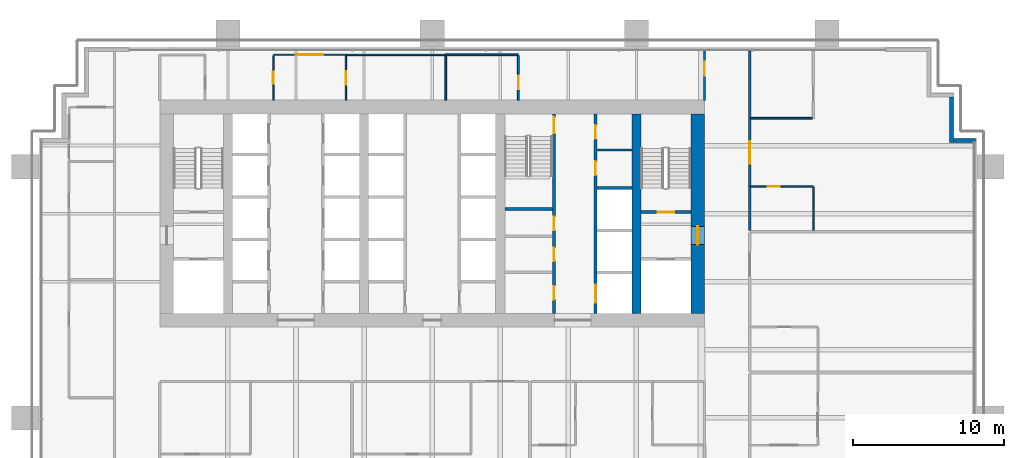
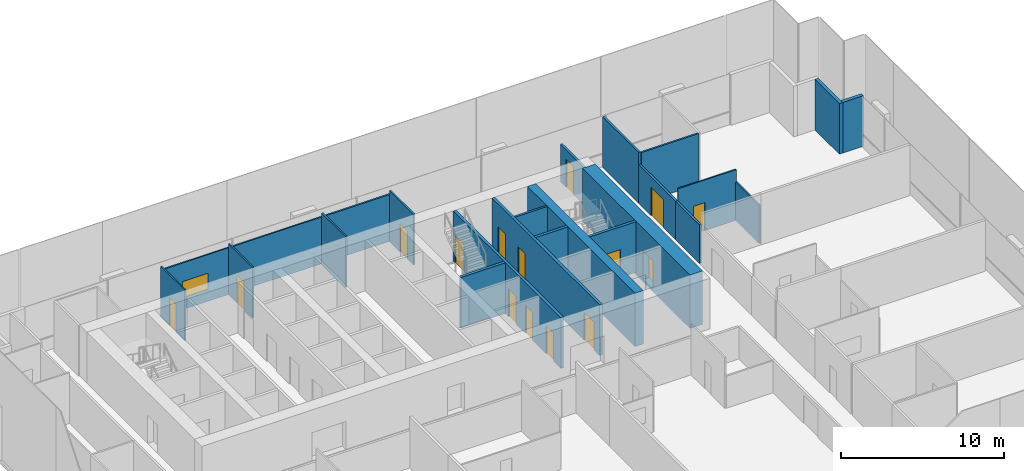
# One storey, part 15 of 19: 24 walls, 15 doors, 1 window, 16 openings.
"""IFC4 building model written with IfcOpenShell, lengths in metres."""

from ifc_helpers import new_model, si_unit, direction, frame, frame_2d, origin, place, context, subcontext, project, spatial, rectangle, extrude, material, layer, layer_set, type_object, element, fill, save


model = new_model("IFC4")

# Units and contexts
model_context = context("Model", 3, precision=1e-05, world=origin(), true_north=direction((0.0, 1.0)))
body_context = subcontext(model_context, "Body", "Model", "MODEL_VIEW")
ifc_project = project(units=[si_unit("LENGTHUNIT", "METRE"), si_unit("AREAUNIT", "SQUARE_METRE"), si_unit("VOLUMEUNIT", "CUBIC_METRE"), si_unit("PLANEANGLEUNIT", "RADIAN"), si_unit("MASSUNIT", "GRAM", prefix="KILO")], contexts=[model_context])

# Site, building, storey
site_placement = place(None, origin())
site = spatial("IfcSite", under=ifc_project, at=site_placement, CompositionType="ELEMENT")
building_placement = place(site_placement, origin())
building = spatial("IfcBuilding", under=site, at=building_placement, Name="Rattan Terrace Tower", CompositionType="ELEMENT")
storey_placement = place(building_placement, frame((0.0, 0.0, 103.699951171875)))
storey = spatial("IfcBuildingStorey", under=building, at=storey_placement, Name="L23", CompositionType="ELEMENT", Elevation=103.699951171875)

# Wall
ifc_material_1 = material(Name="Gypsum board partition")
ifc_layer_1 = layer(ifc_material_1, 0.14990234375)
ifc_layer_set_1 = layer_set([ifc_layer_1], Name="Core partition 150")
wall_type_1 = type_object("IfcWallType", Name="Core partition 150", PredefinedType="PARTITIONING", material=ifc_layer_set_1)
wall_1_placement = place(storey_placement, frame((10.89990234375, 4.199951171875, 0.0), z_axis=(0.0, 0.0, 1.0), x_axis=(1.0, 0.0, 0.0)))
element("IfcWall", 1, at=wall_1_placement, inside=storey, type_object=wall_type_1, Name="Riser room wall", PredefinedType="PARTITIONING", context=body_context, shape_type="SweptSolid", body=[
    extrude(rectangle(XDim=2.300048828125, YDim=0.14990234375, at=frame_2d((1.14990234375, 0.0))), origin(), (0.0, 0.0, 1.0), 3.800048828125),
])

# Wall, opening, door
ifc_material_2 = material(Name="Gypsum board partition")
ifc_layer_2 = layer(ifc_material_2, 0.199951171875)
ifc_layer_set_2 = layer_set([ifc_layer_2], Name="Core partition 200")
wall_type_2 = type_object("IfcWallType", Name="Core partition 200", PredefinedType="PARTITIONING", material=ifc_layer_set_2)
wall_2_placement = place(storey_placement, frame((13.800048828125, 0.10009765625, 0.0), z_axis=(0.0, 0.0, 1.0), x_axis=(1.0, 0.0, 0.0)))
wall_2 = element("IfcWall", 2, at=wall_2_placement, inside=storey, type_object=wall_type_2, Name="Stair enclosure wall", PredefinedType="PARTITIONING", context=body_context, shape_type="SweptSolid", body=[
    extrude(rectangle(XDim=3.300048828125, YDim=0.199951171875, at=frame_2d((1.64990234375, 0.0))), origin(), (0.0, 0.0, 1.0), 3.800048828125),
])
opening_1_placement = place(wall_2_placement, frame((1.10009765625, 0.0, 0.0)))
opening_1 = element("IfcOpeningElement", 3, at=opening_1_placement, cuts=wall_2, Name="Opening L23-D004", PredefinedType="OPENING", context=body_context, shape_type="SweptSolid", body=[
    extrude(rectangle(XDim=1.10009765625, YDim=2.10009765625, at=frame_2d((0.550048828125, 1.050048828125))), frame((0.0, 0.110595703125, 0.0), z_axis=(0.0, -1.0, 0.0), x_axis=(1.0, 0.0, 0.0)), (0.0, 0.0, 1.0), 0.220947265625),
])
ifc_material_3 = material(Name="Hollow-metal fire door leaf")
door_type_1 = type_object("IfcDoorType", Name="Core stair door 1100", OperationType="NOTDEFINED", PredefinedType="DOOR", material=ifc_material_3)
door_1_placement = place(opening_1_placement, origin())
door_1 = element("IfcDoor", 4, at=door_1_placement, inside=storey, type_object=door_type_1, Name="Door L23-D004", OperationType="SINGLE_SWING_RIGHT", OverallHeight=2.10009765625, OverallWidth=1.10009765625, PredefinedType="DOOR", context=body_context, shape_type="SweptSolid", body=[
    extrude(rectangle(XDim=1.10009765625, YDim=2.10009765625, at=frame_2d((0.550048828125, 1.050048828125))), frame((0.0, 0.02490234375, 0.0), z_axis=(0.0, -1.0, 0.0), x_axis=(1.0, 0.0, 0.0)), (0.0, 0.0, 1.0), 0.050048828125),
])
fill(opening_1, door_1)

# Wall, openings, doors
wall_3_placement = place(storey_placement, frame((8.050048828125, -6.60009765625, 0.0), z_axis=(0.0, 0.0, 1.0), x_axis=(0.0, 1.0, 0.0)))
wall_3 = element("IfcWall", 5, at=wall_3_placement, inside=storey, type_object=wall_type_2, Name="Lobby wall west", PredefinedType="PARTITIONING", context=body_context, shape_type="SweptSolid", body=[
    extrude(rectangle(XDim=13.2001953125, YDim=0.199951171875, at=frame_2d((6.60009765625, 0.0))), origin(), (0.0, 0.0, 1.0), 3.800048828125),
])
opening_2_placement = place(wall_3_placement, frame((0.909912109375, 0.0, 0.0)))
opening_2 = element("IfcOpeningElement", 6, at=opening_2_placement, cuts=wall_3, Name="Opening L23-D011", PredefinedType="OPENING", context=body_context, shape_type="SweptSolid", body=[
    extrude(rectangle(XDim=0.89990234375, YDim=2.10009765625, at=frame_2d((0.449951171875, 1.050048828125))), frame((0.0, 0.110595703125, 0.0), z_axis=(0.0, -1.0, 0.0), x_axis=(1.0, 0.0, 0.0)), (0.0, 0.0, 1.0), 0.220947265625),
])
opening_3_placement = place(wall_3_placement, frame((3.4599609375, 0.0, 0.0)))
opening_3 = element("IfcOpeningElement", 7, at=opening_3_placement, cuts=wall_3, Name="Opening L23-D012", PredefinedType="OPENING", context=body_context, shape_type="SweptSolid", body=[
    extrude(rectangle(XDim=0.89990234375, YDim=2.10009765625, at=frame_2d((0.449951171875, 1.050048828125))), frame((0.0, 0.110595703125, 0.0), z_axis=(0.0, -1.0, 0.0), x_axis=(1.0, 0.0, 0.0)), (0.0, 0.0, 1.0), 0.220947265625),
])
opening_4_placement = place(wall_3_placement, frame((5.5, 0.0, 0.0)))
opening_4 = element("IfcOpeningElement", 8, at=opening_4_placement, cuts=wall_3, Name="Opening L23-D013", PredefinedType="OPENING", context=body_context, shape_type="SweptSolid", body=[
    extrude(rectangle(XDim=0.89990234375, YDim=2.10009765625, at=frame_2d((0.449951171875, 1.050048828125))), frame((0.0, 0.110595703125, 0.0), z_axis=(0.0, -1.0, 0.0), x_axis=(1.0, 0.0, 0.0)), (0.0, 0.0, 1.0), 0.220947265625),
])
opening_5_placement = place(wall_3_placement, frame((11.89990234375, 0.0, 0.0)))
opening_5 = element("IfcOpeningElement", 9, at=opening_5_placement, cuts=wall_3, Name="Opening L23-D014", PredefinedType="OPENING", context=body_context, shape_type="SweptSolid", body=[
    extrude(rectangle(XDim=1.10009765625, YDim=2.10009765625, at=frame_2d((0.550048828125, 1.050048828125))), frame((0.0, 0.110595703125, 0.0), z_axis=(0.0, -1.0, 0.0), x_axis=(1.0, 0.0, 0.0)), (0.0, 0.0, 1.0), 0.220947265625),
])
ifc_material_4 = material(Name="Hollow-metal fire door leaf")
door_type_2 = type_object("IfcDoorType", Name="Core service room door 900", OperationType="NOTDEFINED", PredefinedType="DOOR", material=ifc_material_4)
door_2_placement = place(opening_4_placement, origin())
door_2 = element("IfcDoor", 10, at=door_2_placement, inside=storey, type_object=door_type_2, Name="Door L23-D013", OperationType="SINGLE_SWING_RIGHT", OverallHeight=2.10009765625, OverallWidth=0.89990234375, PredefinedType="DOOR", context=body_context, shape_type="SweptSolid", body=[
    extrude(rectangle(XDim=0.89990234375, YDim=2.10009765625, at=frame_2d((0.449951171875, 1.050048828125))), frame((0.0, 0.02490234375, 0.0), z_axis=(0.0, -1.0, 0.0), x_axis=(1.0, 0.0, 0.0)), (0.0, 0.0, 1.0), 0.050048828125),
])
fill(opening_4, door_2)
door_3_placement = place(opening_5_placement, origin())
door_3 = element("IfcDoor", 11, at=door_3_placement, inside=storey, type_object=door_type_1, Name="Door L23-D014", OperationType="SINGLE_SWING_LEFT", OverallHeight=2.10009765625, OverallWidth=1.10009765625, PredefinedType="DOOR", context=body_context, shape_type="SweptSolid", body=[
    extrude(rectangle(XDim=1.10009765625, YDim=2.10009765625, at=frame_2d((0.550048828125, 1.050048828125))), frame((0.0, 0.02490234375, 0.0), z_axis=(0.0, -1.0, 0.0), x_axis=(1.0, 0.0, 0.0)), (0.0, 0.0, 1.0), 0.050048828125),
])
fill(opening_5, door_3)
ifc_material_5 = material(Name="Hollow-metal fire door leaf")
door_type_3 = type_object("IfcDoorType", Name="Core toilet door 900", OperationType="NOTDEFINED", PredefinedType="DOOR", material=ifc_material_5)
door_4_placement = place(opening_2_placement, origin())
door_4 = element("IfcDoor", 12, at=door_4_placement, inside=storey, type_object=door_type_3, Name="Door L23-D011", OperationType="SINGLE_SWING_RIGHT", OverallHeight=2.10009765625, OverallWidth=0.89990234375, PredefinedType="DOOR", context=body_context, shape_type="SweptSolid", body=[
    extrude(rectangle(XDim=0.89990234375, YDim=2.10009765625, at=frame_2d((0.449951171875, 1.050048828125))), frame((0.0, 0.02490234375, 0.0), z_axis=(0.0, -1.0, 0.0), x_axis=(1.0, 0.0, 0.0)), (0.0, 0.0, 1.0), 0.050048828125),
])
fill(opening_2, door_4)
door_5_placement = place(opening_3_placement, origin())
door_5 = element("IfcDoor", 13, at=door_5_placement, inside=storey, type_object=door_type_3, Name="Door L23-D012", OperationType="SINGLE_SWING_LEFT", OverallHeight=2.10009765625, OverallWidth=0.89990234375, PredefinedType="DOOR", context=body_context, shape_type="SweptSolid", body=[
    extrude(rectangle(XDim=0.89990234375, YDim=2.10009765625, at=frame_2d((0.449951171875, 1.050048828125))), frame((0.0, 0.02490234375, 0.0), z_axis=(0.0, -1.0, 0.0), x_axis=(1.0, 0.0, 0.0)), (0.0, 0.0, 1.0), 0.050048828125),
])
fill(opening_3, door_5)

# Wall
wall_4_placement = place(storey_placement, frame((4.800048828125, 0.300048828125, 0.0), z_axis=(0.0, 0.0, 1.0), x_axis=(1.0, 0.0, 0.0)))
element("IfcWall", 14, at=wall_4_placement, inside=storey, type_object=wall_type_2, Name="Stair enclosure wall", PredefinedType="PARTITIONING", context=body_context, shape_type="SweptSolid", body=[
    extrude(rectangle(XDim=3.14990234375, YDim=0.199951171875, at=frame_2d((1.574951171875, 0.0))), origin(), (0.0, 0.0, 1.0), 3.800048828125),
])

# Wall, opening, door
ifc_material_6 = material(Name="Concrete C70/85", Category="concrete")
ifc_layer_3 = layer(ifc_material_6, 0.89990234375)
ifc_layer_set_3 = layer_set([ifc_layer_3], Name="Core ring wall 900 C70/85")
wall_type_3 = type_object("IfcWallType", Name="Core ring wall 900 C70/85", PredefinedType="SHEAR", material=ifc_layer_set_3)
wall_5_placement = place(storey_placement, frame((17.550048828125, -6.60009765625, -0.199951171875), z_axis=(0.0, 0.0, 1.0), x_axis=(0.0, 1.0, 0.0)))
wall_5 = element("IfcWall", 15, at=wall_5_placement, inside=storey, type_object=wall_type_3, Name="Rear core wall east", PredefinedType="SHEAR", context=body_context, shape_type="SweptSolid", body=[
    extrude(rectangle(XDim=13.2001953125, YDim=0.89990234375, at=frame_2d((6.60009765625, 0.0))), origin(), (0.0, 0.0, 1.0), 4.0),
])
opening_6_placement = place(wall_5_placement, frame((4.550048828125, 0.0, 0.199951171875)))
opening_6 = element("IfcOpeningElement", 16, at=opening_6_placement, cuts=wall_5, Name="Opening L23-D003", PredefinedType="OPENING", context=body_context, shape_type="SweptSolid", body=[
    extrude(rectangle(XDim=1.199951171875, YDim=2.10009765625, at=frame_2d((0.60009765625, 1.050048828125))), frame((0.0, 0.46044921875, 0.0), z_axis=(0.0, -1.0, 0.0), x_axis=(1.0, 0.0, 0.0)), (0.0, 0.0, 1.0), 0.9208984375),
])
ifc_material_7 = material(Name="Hollow-metal fire door leaf")
door_type_4 = type_object("IfcDoorType", Name="Core fire-fighting lobby door 1200", OperationType="NOTDEFINED", PredefinedType="DOOR", material=ifc_material_7)
door_6_placement = place(opening_6_placement, origin())
door_6 = element("IfcDoor", 17, at=door_6_placement, inside=storey, type_object=door_type_4, Name="Door L23-D003", OperationType="SINGLE_SWING_LEFT", OverallHeight=2.10009765625, OverallWidth=1.199951171875, PredefinedType="DOOR", context=body_context, shape_type="SweptSolid", body=[
    extrude(rectangle(XDim=1.199951171875, YDim=2.10009765625, at=frame_2d((0.60009765625, 1.050048828125))), frame((0.0, 0.02490234375, 0.0), z_axis=(0.0, -1.0, 0.0), x_axis=(1.0, 0.0, 0.0)), (0.0, 0.0, 1.0), 0.050048828125),
])
fill(opening_6, door_6)

# Walls
ifc_material_8 = material(Name="Concrete C70/85", Category="concrete")
ifc_layer_4 = layer(ifc_material_8, 0.60009765625)
ifc_layer_set_4 = layer_set([ifc_layer_4], Name="Core spine wall 600 C70/85")
wall_type_4 = type_object("IfcWallType", Name="Core spine wall 600 C70/85", PredefinedType="SHEAR", material=ifc_layer_set_4)
wall_6_placement = place(storey_placement, frame((13.5, -6.60009765625, -0.199951171875), z_axis=(0.0, 0.0, 1.0), x_axis=(0.0, 1.0, 0.0)))
element("IfcWall", 18, at=wall_6_placement, inside=storey, type_object=wall_type_4, Name="Core spine wall 4", PredefinedType="SHEAR", context=body_context, shape_type="SweptSolid", body=[
    extrude(rectangle(XDim=13.2001953125, YDim=0.60009765625, at=frame_2d((6.60009765625, 0.0))), origin(), (0.0, 0.0, 1.0), 4.0),
])
ifc_material_9 = material(Name="Insulated aluminium-clad stud wall", Category="aluminium")
ifc_layer_5 = layer(ifc_material_9, 0.25)
ifc_layer_set_5 = layer_set([ifc_layer_5], Name="Facade Riser Wall 250")
wall_type_5 = type_object("IfcWallType", Name="Facade Riser Wall 250", PredefinedType="SOLIDWALL", material=ifc_layer_set_5)
wall_7_placement = place(storey_placement, frame((35.909912109375, 4.830078125, 0.0), z_axis=(0.0, 0.0, 1.0), x_axis=(-1.0, 0.0, 0.0)))
element("IfcWall", 19, at=wall_7_placement, inside=storey, type_object=wall_type_5, Name="Riser wall L23-6", PredefinedType="SOLIDWALL", context=body_context, shape_type="SweptSolid", body=[
    extrude(rectangle(XDim=1.454833984375, YDim=0.25, at=frame_2d((0.7275390625, 0.0))), origin(), (0.0, 0.0, 1.0), 3.800048828125),
])
wall_8_placement = place(storey_placement, frame((34.330078125, 4.705078125, 0.0), z_axis=(0.0, 0.0, 1.0), x_axis=(0.0, 1.0, 0.0)))
element("IfcWall", 20, at=wall_8_placement, inside=storey, type_object=wall_type_5, Name="Riser wall L23-7", PredefinedType="SOLIDWALL", context=body_context, shape_type="SweptSolid", body=[
    extrude(rectangle(XDim=3.0, YDim=0.25, at=frame_2d((1.5, 0.0))), origin(), (0.0, 0.0, 1.0), 3.800048828125),
])

# Wall, opening, door
ifc_material_10 = material(Name="Gypsum board partition on steel studs", Category="steel")
ifc_layer_6 = layer(ifc_material_10, 0.10009765625)
ifc_layer_set_6 = layer_set([ifc_layer_6], Name="Floors Partition 100")
wall_type_6 = type_object("IfcWallType", Name="Floors Partition 100", PredefinedType="PARTITIONING", material=ifc_layer_set_6)
wall_9_placement = place(storey_placement, frame((25.199951171875, 1.800048828125, 0.0), z_axis=(0.0, 0.0, 1.0), x_axis=(-1.0, 0.0, 0.0)))
wall_9 = element("IfcWall", 21, at=wall_9_placement, inside=storey, type_object=wall_type_6, Name="pt-L23-058", PredefinedType="PARTITIONING", context=body_context, shape_type="SweptSolid", body=[
    extrude(rectangle(XDim=4.125, YDim=0.10009765625, at=frame_2d((2.0625, 0.0))), origin(), (0.0, 0.0, 1.0), 3.800048828125),
])
opening_7_placement = place(wall_9_placement, frame((2.22802734375, 0.0, 0.0)))
opening_7 = element("IfcOpeningElement", 22, at=opening_7_placement, cuts=wall_9, Name="Opening L23-D114", PredefinedType="OPENING", context=body_context, shape_type="SweptSolid", body=[
    extrude(rectangle(XDim=0.800048828125, YDim=2.10009765625, at=frame_2d((0.39990234375, 1.050048828125))), frame((0.0, 0.060546875, 0.0), z_axis=(0.0, -1.0, 0.0), x_axis=(1.0, 0.0, 0.0)), (0.0, 0.0, 1.0), 0.12109375),
])
ifc_material_11 = material(Name="Solid core timber door, painted", Category="wood")
door_type_5 = type_object("IfcDoorType", Name="Floors Store Door 800x2100", OperationType="NOTDEFINED", PredefinedType="DOOR", material=ifc_material_11)
door_7_placement = place(opening_7_placement, origin())
door_7 = element("IfcDoor", 23, at=door_7_placement, inside=storey, type_object=door_type_5, Name="d-L23-114", OperationType="SINGLE_SWING_RIGHT", OverallHeight=2.10009765625, OverallWidth=0.800048828125, PredefinedType="DOOR", context=body_context, shape_type="SweptSolid", body=[
    extrude(rectangle(XDim=0.800048828125, YDim=2.10009765625, at=frame_2d((0.39990234375, 1.050048828125))), frame((0.0, 0.02490234375, 0.0), z_axis=(0.0, -1.0, 0.0), x_axis=(1.0, 0.0, 0.0)), (0.0, 0.0, 1.0), 0.050048828125),
])
fill(opening_7, door_7)

# Wall
wall_10_placement = place(storey_placement, frame((25.199951171875, -1.110107421875, 0.0), z_axis=(0.0, 0.0, 1.0), x_axis=(0.0, 1.0, 0.0)))
element("IfcWall", 24, at=wall_10_placement, inside=storey, type_object=wall_type_6, Name="pt-L23-059", PredefinedType="PARTITIONING", context=body_context, shape_type="SweptSolid", body=[
    extrude(rectangle(XDim=2.860107421875, YDim=0.10009765625, at=frame_2d((1.43017578125, 0.0))), origin(), (0.0, 0.0, 1.0), 2.900146484375),
])

# Wall, opening, door
wall_11_placement = place(storey_placement, frame((-10.5, 10.449951171875, 0.0), z_axis=(0.0, 0.0, 1.0), x_axis=(0.0, -1.0, 0.0)))
wall_11 = element("IfcWall", 25, at=wall_11_placement, inside=storey, type_object=wall_type_6, Name="pt-L23-064", PredefinedType="PARTITIONING", context=body_context, shape_type="SweptSolid", body=[
    extrude(rectangle(XDim=2.949951171875, YDim=0.10009765625, at=frame_2d((1.47509765625, 0.0))), origin(), (0.0, 0.0, 1.0), 3.800048828125),
])
opening_8_placement = place(wall_11_placement, frame((1.074951171875, 0.0, 0.0)))
opening_8 = element("IfcOpeningElement", 26, at=opening_8_placement, cuts=wall_11, Name="Opening L23-D118", PredefinedType="OPENING", context=body_context, shape_type="SweptSolid", body=[
    extrude(rectangle(XDim=0.800048828125, YDim=2.10009765625, at=frame_2d((0.39990234375, 1.050048828125))), frame((0.0, 0.060546875, 0.0), z_axis=(0.0, -1.0, 0.0), x_axis=(1.0, 0.0, 0.0)), (0.0, 0.0, 1.0), 0.12109375),
])
door_8_placement = place(opening_8_placement, origin())
door_8 = element("IfcDoor", 27, at=door_8_placement, inside=storey, type_object=door_type_5, Name="d-L23-118", OperationType="SINGLE_SWING_LEFT", OverallHeight=2.10009765625, OverallWidth=0.800048828125, PredefinedType="DOOR", context=body_context, shape_type="SweptSolid", body=[
    extrude(rectangle(XDim=0.800048828125, YDim=2.10009765625, at=frame_2d((0.39990234375, 1.050048828125))), frame((0.0, 0.02490234375, 0.0), z_axis=(0.0, -1.0, 0.0), x_axis=(1.0, 0.0, 0.0)), (0.0, 0.0, 1.0), 0.050048828125),
])
fill(opening_8, door_8)

# Wall, opening, window
wall_12_placement = place(storey_placement, frame((-5.719970703125, 10.5, 0.0), z_axis=(0.0, 0.0, 1.0), x_axis=(-1.0, 0.0, 0.0)))
wall_12 = element("IfcWall", 28, at=wall_12_placement, inside=storey, type_object=wall_type_6, Name="pt-L23-065", PredefinedType="PARTITIONING", context=body_context, shape_type="SweptSolid", body=[
    extrude(rectangle(XDim=4.780029296875, YDim=0.10009765625, at=frame_2d((2.39013671875, 0.0))), origin(), (0.0, 0.0, 1.0), 3.5),
])
opening_9_placement = place(wall_12_placement, frame((1.47998046875, 0.0, 0.89990234375)))
opening_9 = element("IfcOpeningElement", 29, at=opening_9_placement, cuts=wall_12, Name="Opening L23-W104", PredefinedType="OPENING", context=body_context, shape_type="SweptSolid", body=[
    extrude(rectangle(XDim=1.800048828125, YDim=1.199951171875, at=frame_2d((0.89990234375, 0.60009765625))), frame((0.0, 0.060546875, 0.0), z_axis=(0.0, -1.0, 0.0), x_axis=(1.0, 0.0, 0.0)), (0.0, 0.0, 1.0), 0.12109375),
])
ifc_material_12 = material(Name="Glass, clear, fixed in aluminium frame", Category="aluminium")
window_type = type_object("IfcWindowType", Name="Interior Vision Window 1800x1200", PartitioningType="SINGLE_PANEL", PredefinedType="WINDOW", material=ifc_material_12)
window_placement = place(opening_9_placement, origin())
window = element("IfcWindow", 30, at=window_placement, inside=storey, type_object=window_type, Name="w-L23-104", OverallHeight=1.199951171875, OverallWidth=1.800048828125, PartitioningType="SINGLE_PANEL", PredefinedType="WINDOW", context=body_context, shape_type="SweptSolid", body=[
    extrude(rectangle(XDim=1.800048828125, YDim=1.199951171875, at=frame_2d((0.89990234375, 0.60009765625))), frame((0.0, 0.030029296875, 0.0), z_axis=(0.0, -1.0, 0.0), x_axis=(1.0, 0.0, 0.0)), (0.0, 0.0, 1.0), 0.06005859375),
])
fill(opening_9, window)

# Wall
wall_13_placement = place(storey_placement, frame((0.8798828125, 10.5, 0.0), z_axis=(0.0, 0.0, 1.0), x_axis=(-1.0, 0.0, 0.0)))
element("IfcWall", 31, at=wall_13_placement, inside=storey, type_object=wall_type_6, Name="pt-L23-066", PredefinedType="PARTITIONING", context=body_context, shape_type="SweptSolid", body=[
    extrude(rectangle(XDim=6.599853515625, YDim=0.10009765625, at=frame_2d((3.2998046875, 0.0))), origin(), (0.0, 0.0, 1.0), 3.5),
])

# Wall, opening, door
wall_14_placement = place(storey_placement, frame((-5.699951171875, 10.449951171875, 0.0), z_axis=(0.0, 0.0, 1.0), x_axis=(0.0, -1.0, 0.0)))
wall_14 = element("IfcWall", 32, at=wall_14_placement, inside=storey, type_object=wall_type_6, Name="pt-L23-069", PredefinedType="PARTITIONING", context=body_context, shape_type="SweptSolid", body=[
    extrude(rectangle(XDim=2.949951171875, YDim=0.10009765625, at=frame_2d((1.47509765625, 0.0))), origin(), (0.0, 0.0, 1.0), 3.800048828125),
])
opening_10_placement = place(wall_14_placement, frame((1.02490234375, 0.0, 0.0)))
opening_10 = element("IfcOpeningElement", 33, at=opening_10_placement, cuts=wall_14, Name="Opening L23-D119", PredefinedType="OPENING", context=body_context, shape_type="SweptSolid", body=[
    extrude(rectangle(XDim=0.89990234375, YDim=2.10009765625, at=frame_2d((0.449951171875, 1.050048828125))), frame((0.0, 0.060546875, 0.0), z_axis=(0.0, -1.0, 0.0), x_axis=(1.0, 0.0, 0.0)), (0.0, 0.0, 1.0), 0.12109375),
])
ifc_material_13 = material(Name="Solid core timber door, painted", Category="wood")
door_type_6 = type_object("IfcDoorType", Name="Floors Door 900x2100", OperationType="NOTDEFINED", PredefinedType="DOOR", material=ifc_material_13)
door_9_placement = place(opening_10_placement, origin())
door_9 = element("IfcDoor", 34, at=door_9_placement, inside=storey, type_object=door_type_6, Name="d-L23-119", OperationType="SINGLE_SWING_RIGHT", OverallHeight=2.10009765625, OverallWidth=0.89990234375, PredefinedType="DOOR", context=body_context, shape_type="SweptSolid", body=[
    extrude(rectangle(XDim=0.89990234375, YDim=2.10009765625, at=frame_2d((0.449951171875, 1.050048828125))), frame((0.0, 0.02490234375, 0.0), z_axis=(0.0, -1.0, 0.0), x_axis=(1.0, 0.0, 0.0)), (0.0, 0.0, 1.0), 0.050048828125),
])
fill(opening_10, door_9)

ifc_material_14 = material(Name="Gypsum board partition on steel studs, fire rated", Category="steel")
ifc_layer_7 = layer(ifc_material_14, 0.14990234375)
ifc_layer_set_7 = layer_set([ifc_layer_7], Name="Floors Tenancy Wall 150")
wall_type_7 = type_object("IfcWallType", Name="Floors Tenancy Wall 150", PredefinedType="PARTITIONING", material=ifc_layer_set_7)
wall_15_placement = place(storey_placement, frame((21.0, 6.320068359375, 0.0), z_axis=(0.0, 0.0, 1.0), x_axis=(0.0, -1.0, 0.0)))
wall_15 = element("IfcWall", 35, at=wall_15_placement, inside=storey, type_object=wall_type_7, Name="pt-L23-016", PredefinedType="PARTITIONING", context=body_context, shape_type="SweptSolid", body=[
    extrude(rectangle(XDim=4.5400390625, YDim=0.14990234375, at=frame_2d((2.27001953125, 0.0))), origin(), (0.0, 0.0, 1.0), 2.900146484375),
])
opening_11_placement = place(wall_15_placement, frame((1.52001953125, 0.0, 0.0)))
opening_11 = element("IfcOpeningElement", 36, at=opening_11_placement, cuts=wall_15, Name="Opening L23-D113", PredefinedType="OPENING", context=body_context, shape_type="SweptSolid", body=[
    extrude(rectangle(XDim=1.5, YDim=2.10009765625, at=frame_2d((0.75, 1.050048828125))), frame((0.0, 0.08544921875, 0.0), z_axis=(0.0, -1.0, 0.0), x_axis=(1.0, 0.0, 0.0)), (0.0, 0.0, 1.0), 0.1708984375),
])
ifc_material_15 = material(Name="Steel fire door set", Category="steel")
door_type_7 = type_object("IfcDoorType", Name="Floors Unit Door Pair FD30S 1500x2100", OperationType="NOTDEFINED", PredefinedType="DOOR", material=ifc_material_15)
door_10_placement = place(opening_11_placement, origin())
door_10 = element("IfcDoor", 37, at=door_10_placement, inside=storey, type_object=door_type_7, Name="d-L23-113", OperationType="DOUBLE_DOOR_SINGLE_SWING", OverallHeight=2.10009765625, OverallWidth=1.5, PredefinedType="DOOR", context=body_context, shape_type="SweptSolid", body=[
    extrude(rectangle(XDim=1.5, YDim=2.10009765625, at=frame_2d((0.75, 1.050048828125))), frame((0.0, 0.02490234375, 0.0), z_axis=(0.0, -1.0, 0.0), x_axis=(1.0, 0.0, 0.0)), (0.0, 0.0, 1.0), 0.050048828125),
])
fill(opening_11, door_10)

# Walls
wall_16_placement = place(storey_placement, frame((21.0, 1.780029296875, 0.0), z_axis=(0.0, 0.0, 1.0), x_axis=(0.0, -1.0, 0.0)))
element("IfcWall", 38, at=wall_16_placement, inside=storey, type_object=wall_type_7, Name="pt-L23-017", PredefinedType="PARTITIONING", context=body_context, shape_type="SweptSolid", body=[
    extrude(rectangle(XDim=2.89013671875, YDim=0.14990234375, at=frame_2d((1.445068359375, 0.0))), origin(), (0.0, 0.0, 1.0), 2.900146484375),
])
wall_17_placement = place(storey_placement, frame((21.0, 10.739990234375, 0.0), z_axis=(0.0, 0.0, 1.0), x_axis=(0.0, -1.0, 0.0)))
element("IfcWall", 39, at=wall_17_placement, inside=storey, type_object=wall_type_7, Name="pt-L23-018", PredefinedType="PARTITIONING", context=body_context, shape_type="SweptSolid", body=[
    extrude(rectangle(XDim=4.419921875, YDim=0.14990234375, at=frame_2d((2.2099609375, 0.0))), origin(), (0.0, 0.0, 1.0), 3.800048828125),
])

# Wall, opening, door
wall_18_placement = place(storey_placement, frame((18.0, 7.47998046875, 0.0), z_axis=(0.0, 0.0, 1.0), x_axis=(0.0, 1.0, 0.0)))
wall_18 = element("IfcWall", 40, at=wall_18_placement, inside=storey, type_object=wall_type_7, Name="pt-L23-019", PredefinedType="PARTITIONING", context=body_context, shape_type="SweptSolid", body=[
    extrude(rectangle(XDim=3.260009765625, YDim=0.14990234375, at=frame_2d((1.6298828125, 0.0))), origin(), (0.0, 0.0, 1.0), 2.800048828125),
])
opening_12_placement = place(wall_18_placement, frame((1.64501953125, 0.0, 0.0)))
opening_12 = element("IfcOpeningElement", 41, at=opening_12_placement, cuts=wall_18, Name="Opening L23-D116", PredefinedType="OPENING", context=body_context, shape_type="SweptSolid", body=[
    extrude(rectangle(XDim=0.89990234375, YDim=2.10009765625, at=frame_2d((0.449951171875, 1.050048828125))), frame((0.0, 0.08544921875, 0.0), z_axis=(0.0, -1.0, 0.0), x_axis=(1.0, 0.0, 0.0)), (0.0, 0.0, 1.0), 0.1708984375),
])
ifc_material_16 = material(Name="Steel fire door set", Category="steel")
door_type_8 = type_object("IfcDoorType", Name="Floors Fire Door FD30S 900x2100", OperationType="NOTDEFINED", PredefinedType="DOOR", material=ifc_material_16)
door_11_placement = place(opening_12_placement, origin())
door_11 = element("IfcDoor", 42, at=door_11_placement, inside=storey, type_object=door_type_8, Name="d-L23-116", OperationType="SINGLE_SWING_RIGHT", OverallHeight=2.10009765625, OverallWidth=0.89990234375, PredefinedType="DOOR", context=body_context, shape_type="SweptSolid", body=[
    extrude(rectangle(XDim=0.89990234375, YDim=2.10009765625, at=frame_2d((0.449951171875, 1.050048828125))), frame((0.0, 0.02490234375, 0.0), z_axis=(0.0, -1.0, 0.0), x_axis=(1.0, 0.0, 0.0)), (0.0, 0.0, 1.0), 0.050048828125),
])
fill(opening_12, door_11)

# Walls
ifc_material_17 = material(Name="Moisture resistant gypsum board partition on steel studs with service cavity", Category="steel")
ifc_layer_8 = layer(ifc_material_17, 0.1201171875)
ifc_layer_set_8 = layer_set([ifc_layer_8], Name="Floors Wet Wall 120")
wall_type_8 = type_object("IfcWallType", Name="Floors Wet Wall 120", PredefinedType="PARTITIONING", material=ifc_layer_set_8)
wall_19_placement = place(storey_placement, frame((21.074951171875, 6.300048828125, 0.0), z_axis=(0.0, 0.0, 1.0), x_axis=(1.0, 0.0, 0.0)))
element("IfcWall", 43, at=wall_19_placement, inside=storey, type_object=wall_type_8, Name="pt-L23-060", PredefinedType="PARTITIONING", context=body_context, shape_type="SweptSolid", body=[
    extrude(rectangle(XDim=4.06494140625, YDim=0.1201171875, at=frame_2d((2.032470703125, 0.0))), origin(), (0.0, 0.0, 1.0), 3.800048828125),
])
wall_20_placement = place(storey_placement, frame((5.699951171875, 10.5, 0.0), z_axis=(0.0, 0.0, 1.0), x_axis=(-1.0, 0.0, 0.0)))
element("IfcWall", 44, at=wall_20_placement, inside=storey, type_object=wall_type_8, Name="pt-L23-067", PredefinedType="PARTITIONING", context=body_context, shape_type="SweptSolid", body=[
    extrude(rectangle(XDim=4.820068359375, YDim=0.1201171875, at=frame_2d((2.41015625, 0.0))), origin(), (0.0, 0.0, 1.0), 3.5),
])

# Wall, opening, door
wall_21_placement = place(storey_placement, frame((5.699951171875, 7.5, 0.0), z_axis=(0.0, 0.0, 1.0), x_axis=(0.0, 1.0, 0.0)))
wall_21 = element("IfcWall", 45, at=wall_21_placement, inside=storey, type_object=wall_type_8, Name="pt-L23-068", PredefinedType="PARTITIONING", context=body_context, shape_type="SweptSolid", body=[
    extrude(rectangle(XDim=2.93994140625, YDim=0.1201171875, at=frame_2d((1.469970703125, 0.0))), origin(), (0.0, 0.0, 1.0), 3.800048828125),
])
opening_13_placement = place(wall_21_placement, frame((0.7119140625, 0.0, 0.0)))
opening_13 = element("IfcOpeningElement", 46, at=opening_13_placement, cuts=wall_21, Name="Opening L23-D120", PredefinedType="OPENING", context=body_context, shape_type="SweptSolid", body=[
    extrude(rectangle(XDim=0.89990234375, YDim=2.10009765625, at=frame_2d((0.449951171875, 1.050048828125))), frame((0.0, 0.070556640625, 0.0), z_axis=(0.0, -1.0, 0.0), x_axis=(1.0, 0.0, 0.0)), (0.0, 0.0, 1.0), 0.14111328125),
])
door_12_placement = place(opening_13_placement, origin())
door_12 = element("IfcDoor", 47, at=door_12_placement, inside=storey, type_object=door_type_6, Name="d-L23-120", OperationType="SINGLE_SWING_LEFT", OverallHeight=2.10009765625, OverallWidth=0.89990234375, PredefinedType="DOOR", context=body_context, shape_type="SweptSolid", body=[
    extrude(rectangle(XDim=0.89990234375, YDim=2.10009765625, at=frame_2d((0.449951171875, 1.050048828125))), frame((0.0, 0.02490234375, 0.0), z_axis=(0.0, -1.0, 0.0), x_axis=(1.0, 0.0, 0.0)), (0.0, 0.0, 1.0), 0.050048828125),
])
fill(opening_13, door_12)

# Wall
wall_22_placement = place(storey_placement, frame((0.89990234375, 10.43994140625, 0.0), z_axis=(0.0, 0.0, 1.0), x_axis=(0.0, -1.0, 0.0)))
element("IfcWall", 48, at=wall_22_placement, inside=storey, type_object=wall_type_8, Name="pt-L23-070", PredefinedType="PARTITIONING", context=body_context, shape_type="SweptSolid", body=[
    extrude(rectangle(XDim=2.93994140625, YDim=0.1201171875, at=frame_2d((1.469970703125, 0.0))), origin(), (0.0, 0.0, 1.0), 3.800048828125),
])

# Wall, openings, doors
ifc_material_18 = material(Name="Gypsum shaft wall system")
ifc_layer_9 = layer(ifc_material_18, 0.199951171875)
ifc_layer_set_9 = layer_set([ifc_layer_9], Name="Lift shaft wall 200")
wall_type_9 = type_object("IfcWallType", Name="Lift shaft wall 200", PredefinedType="PARTITIONING", material=ifc_layer_set_9)
wall_23_placement = place(storey_placement, frame((10.800048828125, -6.60009765625, 0.0), z_axis=(0.0, 0.0, 1.0), x_axis=(0.0, 1.0, 0.0)))
wall_23 = element("IfcWall", 49, at=wall_23_placement, inside=storey, type_object=wall_type_9, Name="Lift shaft front wall", PredefinedType="PARTITIONING", context=body_context, shape_type="SweptSolid", body=[
    extrude(rectangle(XDim=13.2001953125, YDim=0.199951171875, at=frame_2d((6.60009765625, 0.0))), origin(), (0.0, 0.0, 1.0), 3.800048828125),
])
opening_14_placement = place(wall_23_placement, frame((0.699951171875, 0.0, 0.0)))
opening_14 = element("IfcOpeningElement", 50, at=opening_14_placement, cuts=wall_23, Name="Opening L23-LD-SV1", PredefinedType="OPENING", context=body_context, shape_type="SweptSolid", body=[
    extrude(rectangle(XDim=1.199951171875, YDim=2.10009765625, at=frame_2d((0.60009765625, 1.050048828125))), frame((0.0, 0.110595703125, 0.0), z_axis=(0.0, -1.0, 0.0), x_axis=(1.0, 0.0, 0.0)), (0.0, 0.0, 1.0), 0.220947265625),
])
opening_15_placement = place(wall_23_placement, frame((9.14990234375, 0.0, 0.0)))
opening_15 = element("IfcOpeningElement", 51, at=opening_15_placement, cuts=wall_23, Name="Opening L23-D016", PredefinedType="OPENING", context=body_context, shape_type="SweptSolid", body=[
    extrude(rectangle(XDim=0.89990234375, YDim=2.10009765625, at=frame_2d((0.449951171875, 1.050048828125))), frame((0.0, 0.110595703125, 0.0), z_axis=(0.0, -1.0, 0.0), x_axis=(1.0, 0.0, 0.0)), (0.0, 0.0, 1.0), 0.220947265625),
])
opening_16_placement = place(wall_23_placement, frame((11.550048828125, 0.0, 0.0)))
opening_16 = element("IfcOpeningElement", 52, at=opening_16_placement, cuts=wall_23, Name="Opening L23-D017", PredefinedType="OPENING", context=body_context, shape_type="SweptSolid", body=[
    extrude(rectangle(XDim=0.89990234375, YDim=2.10009765625, at=frame_2d((0.449951171875, 1.050048828125))), frame((0.0, 0.110595703125, 0.0), z_axis=(0.0, -1.0, 0.0), x_axis=(1.0, 0.0, 0.0)), (0.0, 0.0, 1.0), 0.220947265625),
])
ifc_material_19 = material(Name="Brushed stainless landing door panel")
door_type_9 = type_object("IfcDoorType", Name="Core lift landing door 1200", OperationType="DOUBLE_DOOR_SLIDING", PredefinedType="DOOR", material=ifc_material_19)
door_13_placement = place(opening_14_placement, origin())
door_13 = element("IfcDoor", 53, at=door_13_placement, inside=storey, type_object=door_type_9, Name="Door L23-LD-SV1", OperationType="DOUBLE_DOOR_SLIDING", OverallHeight=2.10009765625, OverallWidth=1.199951171875, PredefinedType="DOOR", context=body_context, shape_type="SweptSolid", body=[
    extrude(rectangle(XDim=1.199951171875, YDim=2.10009765625, at=frame_2d((0.60009765625, 1.050048828125))), frame((0.0, 0.02490234375, 0.0), z_axis=(0.0, -1.0, 0.0), x_axis=(1.0, 0.0, 0.0)), (0.0, 0.0, 1.0), 0.050048828125),
])
fill(opening_14, door_13)
ifc_material_20 = material(Name="Hollow-metal fire door leaf")
door_type_10 = type_object("IfcDoorType", Name="Core riser door 900", OperationType="NOTDEFINED", PredefinedType="DOOR", material=ifc_material_20)
door_14_placement = place(opening_15_placement, origin())
door_14 = element("IfcDoor", 54, at=door_14_placement, inside=storey, type_object=door_type_10, Name="Door L23-D016", OperationType="SINGLE_SWING_RIGHT", OverallHeight=2.10009765625, OverallWidth=0.89990234375, PredefinedType="DOOR", context=body_context, shape_type="SweptSolid", body=[
    extrude(rectangle(XDim=0.89990234375, YDim=2.10009765625, at=frame_2d((0.449951171875, 1.050048828125))), frame((0.0, 0.02490234375, 0.0), z_axis=(0.0, -1.0, 0.0), x_axis=(1.0, 0.0, 0.0)), (0.0, 0.0, 1.0), 0.050048828125),
])
fill(opening_15, door_14)
door_15_placement = place(opening_16_placement, origin())
door_15 = element("IfcDoor", 55, at=door_15_placement, inside=storey, type_object=door_type_10, Name="Door L23-D017", OperationType="SINGLE_SWING_LEFT", OverallHeight=2.10009765625, OverallWidth=0.89990234375, PredefinedType="DOOR", context=body_context, shape_type="SweptSolid", body=[
    extrude(rectangle(XDim=0.89990234375, YDim=2.10009765625, at=frame_2d((0.449951171875, 1.050048828125))), frame((0.0, 0.02490234375, 0.0), z_axis=(0.0, -1.0, 0.0), x_axis=(1.0, 0.0, 0.0)), (0.0, 0.0, 1.0), 0.050048828125),
])
fill(opening_16, door_15)

# Wall
wall_24_placement = place(storey_placement, frame((10.89990234375, 1.699951171875, 0.0), z_axis=(0.0, 0.0, 1.0), x_axis=(1.0, 0.0, 0.0)))
element("IfcWall", 56, at=wall_24_placement, inside=storey, type_object=wall_type_9, Name="Lift shaft wall", PredefinedType="PARTITIONING", context=body_context, shape_type="SweptSolid", body=[
    extrude(rectangle(XDim=2.300048828125, YDim=0.199951171875, at=frame_2d((1.14990234375, 0.0))), origin(), (0.0, 0.0, 1.0), 3.800048828125),
])

save(model, "model.ifc")
